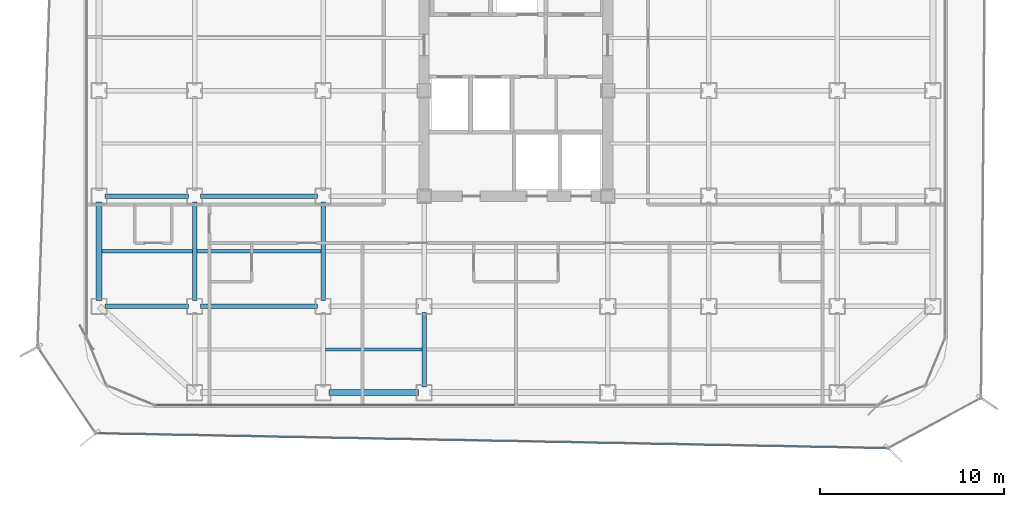
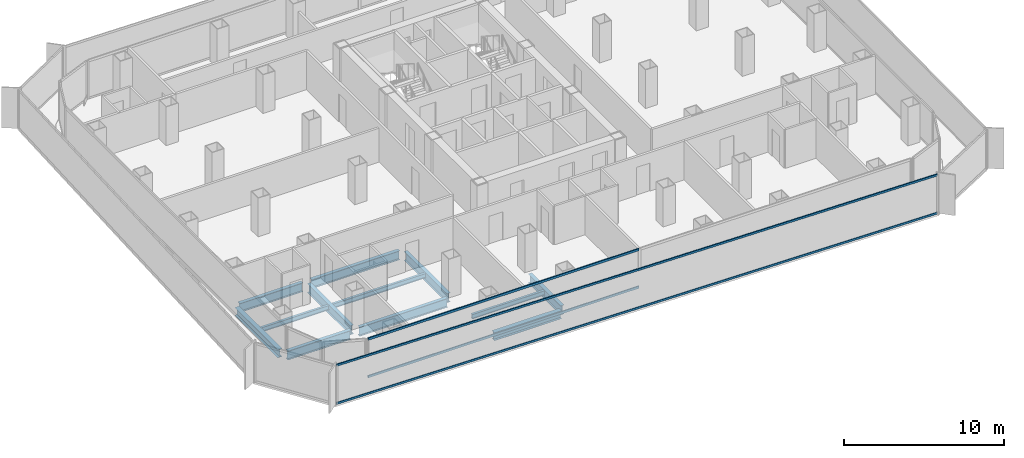
# One storey, part 3 of 21: 12 beams, 4 members, 2 elements without a shape of their own.
"""IFC4 building model written with IfcOpenShell, lengths in metres."""

from ifc_helpers import new_model, si_unit, direction, frame, origin, origin_2d, place, context, subcontext, project, spatial, hollow_rectangle, i_section, extrude, source, transform, mapped, material, layer, layer_set, material_profile, profile_set, type_object, element, aggregate, save


model = new_model("IFC4")

# Units and contexts
model_context = context("Model", 3, precision=1e-05, world=origin(), true_north=direction((0.0, 1.0)))
body_context = subcontext(model_context, "Body", "Model", "MODEL_VIEW")
ifc_project = project(units=[si_unit("LENGTHUNIT", "METRE"), si_unit("AREAUNIT", "SQUARE_METRE"), si_unit("VOLUMEUNIT", "CUBIC_METRE"), si_unit("PLANEANGLEUNIT", "RADIAN"), si_unit("MASSUNIT", "GRAM", prefix="KILO")], contexts=[model_context])

# Site, building, storey
site_placement = place(None, origin())
site = spatial("IfcSite", under=ifc_project, at=site_placement, CompositionType="ELEMENT")
building_placement = place(site_placement, origin())
building = spatial("IfcBuilding", under=site, at=building_placement, Name="Kolveth Station Tower", CompositionType="ELEMENT")
storey_placement = place(building_placement, frame((0.0, 0.0, 95.89990234375)))
storey = spatial("IfcBuildingStorey", under=building, at=storey_placement, Name="L25", CompositionType="ELEMENT", Elevation=95.89990234375)

# Beams
ifc_material_1 = material(Name="Steel S355", Category="steel")
ifc_material_profile_1 = material_profile(ifc_material_1, i_section(OverallWidth=0.323974609375, OverallDepth=0.611083984375, WebThickness=0.0126953125, FlangeThickness=0.01904296875, at=origin_2d()), Name="W610x155")
ifc_profile_set_1 = profile_set([ifc_material_profile_1], Name="Steel S355")
beam_type_1 = type_object("IfcBeamType", Name="Beam_SP2", PredefinedType="SPANDREL", material=ifc_profile_set_1)
shared_shape_1 = source(origin(), body_context, "Body", "SweptSolid", [
    extrude(i_section(OverallWidth=0.323974609375, OverallDepth=0.611083984375, WebThickness=0.0126953125, FlangeThickness=0.01904296875, at=origin_2d()), origin(), (0.0, 0.0, 1.0), 4.85986328125),
])
beam_1_placement = place(storey_placement, frame((13.320068359375, 0.800048828125, -0.555419921875), z_axis=(1.0, 0.0, 0.0), x_axis=(0.0, 1.0, 0.0)))
element("IfcBeam", 1, at=beam_1_placement, inside=storey, type_object=beam_type_1, Name="L25 Perimeter Spandrel BM-L25-PS-2", PredefinedType="SPANDREL", context=body_context, shape_type="MappedRepresentation", body=[
    mapped(shared_shape_1, transform((0.0, 0.0, 0.0), x_axis=(1.0, 0.0, 0.0), y_axis=(0.0, 1.0, 0.0), z_axis=(0.0, 0.0, 1.0), scale=1.0)),
])
shared_shape_2 = source(origin(), body_context, "Body", "SweptSolid", [
    extrude(i_section(OverallWidth=0.323974609375, OverallDepth=0.611083984375, WebThickness=0.0126953125, FlangeThickness=0.01904296875, at=origin_2d()), origin(), (0.0, 0.0, 1.0), 5.35986328125),
])
beam_2_placement = place(storey_placement, frame((0.800048828125, 5.820068359375, -0.555419921875), z_axis=(0.0, 1.0, 0.0), x_axis=(-1.0, 0.0, 0.0)))
element("IfcBeam", 2, at=beam_2_placement, inside=storey, type_object=beam_type_1, Name="L25 Perimeter Spandrel BM-L25-PW-1", PredefinedType="SPANDREL", context=body_context, shape_type="MappedRepresentation", body=[
    mapped(shared_shape_2, transform((0.0, 0.0, 0.0), x_axis=(1.0, 0.0, 0.0), y_axis=(0.0, 1.0, 0.0), z_axis=(0.0, 0.0, 1.0), scale=1.0)),
])
ifc_material_profile_2 = material_profile(ifc_material_1, i_section(OverallWidth=0.25390625, OverallDepth=0.68798828125, WebThickness=0.01318359375, FlangeThickness=0.02099609375, at=origin_2d()), Name="W690x152")
ifc_profile_set_2 = profile_set([ifc_material_profile_2], Name="Steel S355")
beam_type_2 = type_object("IfcBeamType", Name="Beam_B4", PredefinedType="BEAM", material=ifc_profile_set_2)
shared_shape_3 = source(origin(), body_context, "Body", "SweptSolid", [
    extrude(i_section(OverallWidth=0.25390625, OverallDepth=0.68798828125, WebThickness=0.01318359375, FlangeThickness=0.02099609375, at=origin_2d()), origin(), (0.0, 0.0, 1.0), 4.559814453125),
])
for number, where, z_axis, x_axis, name in (
    (3, (1.1201171875, 5.5, -0.593994140625), (1.0, 0.0, 0.0), (0.0, 1.0, 0.0), "L25 Primary Girder BM-L25-GY55-1"),
    (4, (1.1201171875, 11.5, -0.593994140625), (1.0, 0.0, 0.0), (0.0, 1.0, 0.0), "L25 Primary Girder BM-L25-GY115-1"),
):
    element("IfcBeam", number, at=place(storey_placement, frame(where, z_axis=z_axis, x_axis=x_axis)), inside=storey, type_object=beam_type_2, Name=name, PredefinedType="BEAM", context=body_context, shape_type="MappedRepresentation", body=[
        mapped(shared_shape_3, transform((0.0, 0.0, 0.0), x_axis=(1.0, 0.0, 0.0), y_axis=(0.0, 1.0, 0.0), z_axis=(0.0, 0.0, 1.0), scale=1.0)),
    ])
shared_shape_4 = source(origin(), body_context, "Body", "SweptSolid", [
    extrude(i_section(OverallWidth=0.25390625, OverallDepth=0.68798828125, WebThickness=0.01318359375, FlangeThickness=0.02099609375, at=origin_2d()), origin(), (0.0, 0.0, 1.0), 6.35986328125),
])
for number, where, z_axis, x_axis, name in (
    (5, (6.320068359375, 5.5, -0.593994140625), (1.0, 0.0, 0.0), (0.0, 1.0, 0.0), "L25 Primary Girder BM-L25-GY55-2"),
    (6, (6.320068359375, 11.5, -0.593994140625), (1.0, 0.0, 0.0), (0.0, 1.0, 0.0), "L25 Primary Girder BM-L25-GY115-2"),
):
    element("IfcBeam", number, at=place(storey_placement, frame(where, z_axis=z_axis, x_axis=x_axis)), inside=storey, type_object=beam_type_2, Name=name, PredefinedType="BEAM", context=body_context, shape_type="MappedRepresentation", body=[
        mapped(shared_shape_4, transform((0.0, 0.0, 0.0), x_axis=(1.0, 0.0, 0.0), y_axis=(0.0, 1.0, 0.0), z_axis=(0.0, 0.0, 1.0), scale=1.0)),
    ])
shared_shape_5 = source(origin(), body_context, "Body", "SweptSolid", [
    extrude(i_section(OverallWidth=0.25390625, OverallDepth=0.68798828125, WebThickness=0.01318359375, FlangeThickness=0.02099609375, at=origin_2d()), origin(), (0.0, 0.0, 1.0), 4.059814453125),
])
beam_3_placement = place(storey_placement, frame((18.5, 1.1201171875, -0.593994140625), z_axis=(0.0, 1.0, 0.0), x_axis=(-1.0, 0.0, 0.0)))
element("IfcBeam", 7, at=beam_3_placement, inside=storey, type_object=beam_type_2, Name="L25 Primary Girder BM-L25-GX185-1", PredefinedType="BEAM", context=body_context, shape_type="MappedRepresentation", body=[
    mapped(shared_shape_5, transform((0.0, 0.0, 0.0), x_axis=(1.0, 0.0, 0.0), y_axis=(0.0, 1.0, 0.0), z_axis=(0.0, 0.0, 1.0), scale=1.0)),
])
shared_shape_6 = source(origin(), body_context, "Body", "SweptSolid", [
    extrude(i_section(OverallWidth=0.25390625, OverallDepth=0.68798828125, WebThickness=0.01318359375, FlangeThickness=0.02099609375, at=origin_2d()), origin(), (0.0, 0.0, 1.0), 5.35986328125),
])
for number, where, z_axis, x_axis, name in (
    (8, (6.0, 5.820068359375, -0.593994140625), (0.0, 1.0, 0.0), (-1.0, 0.0, 0.0), "L25 Primary Girder BM-L25-GX60-2"),
    (9, (13.0, 5.820068359375, -0.593994140625), (0.0, 1.0, 0.0), (-1.0, 0.0, 0.0), "L25 Primary Girder BM-L25-GX130-2"),
):
    element("IfcBeam", number, at=place(storey_placement, frame(where, z_axis=z_axis, x_axis=x_axis)), inside=storey, type_object=beam_type_2, Name=name, PredefinedType="BEAM", context=body_context, shape_type="MappedRepresentation", body=[
        mapped(shared_shape_6, transform((0.0, 0.0, 0.0), x_axis=(1.0, 0.0, 0.0), y_axis=(0.0, 1.0, 0.0), z_axis=(0.0, 0.0, 1.0), scale=1.0)),
    ])
ifc_material_profile_3 = material_profile(ifc_material_1, i_section(OverallWidth=0.1708984375, OverallDepth=0.35205078125, WebThickness=0.0068359375, FlangeThickness=0.009765625, at=origin_2d()), Name="W360x44")
ifc_profile_set_3 = profile_set([ifc_material_profile_3], Name="Steel S355")
beam_type_3 = type_object("IfcBeamType", Name="Beam_J2", PredefinedType="JOIST", material=ifc_profile_set_3)
shared_shape_7 = source(origin(), body_context, "Body", "SweptSolid", [
    extrude(i_section(OverallWidth=0.1708984375, OverallDepth=0.35205078125, WebThickness=0.0068359375, FlangeThickness=0.009765625, at=origin_2d()), origin(), (0.0, 0.0, 1.0), 4.9150390625),
])
beam_4_placement = place(storey_placement, frame((0.9599609375, 8.5, -0.42578125), z_axis=(1.0, 0.0, 0.0), x_axis=(0.0, 1.0, 0.0)))
element("IfcBeam", 10, at=beam_4_placement, inside=storey, type_object=beam_type_3, Name="L25 Secondary Joist JST-L25-1-2", PredefinedType="JOIST", context=body_context, shape_type="MappedRepresentation", body=[
    mapped(shared_shape_7, transform((0.0, 0.0, 0.0), x_axis=(1.0, 0.0, 0.0), y_axis=(0.0, 1.0, 0.0), z_axis=(0.0, 0.0, 1.0), scale=1.0)),
])
shared_shape_8 = source(origin(), body_context, "Body", "SweptSolid", [
    extrude(i_section(OverallWidth=0.1708984375, OverallDepth=0.35205078125, WebThickness=0.0068359375, FlangeThickness=0.009765625, at=origin_2d()), origin(), (0.0, 0.0, 1.0), 6.75),
])
beam_5_placement = place(storey_placement, frame((6.125, 8.5, -0.42578125), z_axis=(1.0, 0.0, 0.0), x_axis=(0.0, 1.0, 0.0)))
element("IfcBeam", 11, at=beam_5_placement, inside=storey, type_object=beam_type_3, Name="L25 Secondary Joist JST-L25-2-2", PredefinedType="JOIST", context=body_context, shape_type="MappedRepresentation", body=[
    mapped(shared_shape_8, transform((0.0, 0.0, 0.0), x_axis=(1.0, 0.0, 0.0), y_axis=(0.0, 1.0, 0.0), z_axis=(0.0, 0.0, 1.0), scale=1.0)),
])
shared_shape_9 = source(origin(), body_context, "Body", "SweptSolid", [
    extrude(i_section(OverallWidth=0.1708984375, OverallDepth=0.35205078125, WebThickness=0.0068359375, FlangeThickness=0.009765625, at=origin_2d()), origin(), (0.0, 0.0, 1.0), 5.25),
])
beam_6_placement = place(storey_placement, frame((13.125, 3.14990234375, -0.42578125), z_axis=(1.0, 0.0, 0.0), x_axis=(0.0, 1.0, 0.0)))
element("IfcBeam", 12, at=beam_6_placement, inside=storey, type_object=beam_type_3, Name="L25 Secondary Joist JST-L25-3-1", PredefinedType="JOIST", context=body_context, shape_type="MappedRepresentation", body=[
    mapped(shared_shape_9, transform((0.0, 0.0, 0.0), x_axis=(1.0, 0.0, 0.0), y_axis=(0.0, 1.0, 0.0), z_axis=(0.0, 0.0, 1.0), scale=1.0)),
])

# Curtain wall, members
ifc_material_2 = material(Name="Aluminium 6063-T6 and low-E dark glass", Category="aluminium")
ifc_layer_1 = layer(ifc_material_2, 0.18994140625)
ifc_layer_set_1 = layer_set([ifc_layer_1], Name="Aluminium 6063-T6 and low-E dark glass")
curtain_wall_type_1 = type_object("IfcCurtainWallType", Name="CurtainWall_CW-Z2", PredefinedType="NOTDEFINED", material=ifc_layer_set_1)
curtain_wall_1_placement = place(storey_placement, origin())
curtain_wall_1 = element("IfcCurtainWall", 13, at=curtain_wall_1_placement, inside=storey, type_object=curtain_wall_type_1, Name="L25 Inner Thermal Curtain Wall 12", PredefinedType="NOTDEFINED")
ifc_material_3 = material(Name="Black anodized aluminium 6063-T6", Category="aluminium")
ifc_material_profile_4 = material_profile(ifc_material_3, hollow_rectangle(XDim=0.080078125, YDim=0.169921875, WallThickness=0.0048828125, at=origin_2d()), Name="ALU-80x170x5")
ifc_profile_set_4 = profile_set([ifc_material_profile_4], Name="Black anodized aluminium 6063-T6")
member_type_1 = type_object("IfcMemberType", Name="Transom_TR2", PredefinedType="USERDEFINED", material=ifc_profile_set_4)
shared_shape_10 = source(origin(), body_context, "Body", "SweptSolid", [
    extrude(hollow_rectangle(XDim=0.080078125, YDim=0.169921875, WallThickness=0.0048828125, at=origin_2d()), origin(), (0.0, 0.0, 1.0), 19.580078125),
])
member_1_placement = place(storey_placement, frame((3.8798828125, 0.1201171875, 0.0400390625), z_axis=(1.0, 0.0, 0.0), x_axis=(0.0, 1.0, 0.0)))
member_1 = element("IfcMember", 14, at=member_1_placement, type_object=member_type_1, Name="CW-Z2 transom 1.1", ObjectType="TRANSOM", PredefinedType="USERDEFINED", context=body_context, shape_type="MappedRepresentation", body=[
    mapped(shared_shape_10, transform((0.0, 0.0, 0.0), x_axis=(1.0, 0.0, 0.0), y_axis=(0.0, 1.0, 0.0), z_axis=(0.0, 0.0, 1.0), scale=1.0)),
])
member_2_placement = place(storey_placement, frame((3.8798828125, 0.1201171875, 2.91015625), z_axis=(1.0, 0.0, 0.0), x_axis=(0.0, 1.0, 0.0)))
member_2 = element("IfcMember", 15, at=member_2_placement, type_object=member_type_1, Name="CW-Z2 transom 1.2", ObjectType="TRANSOM", PredefinedType="USERDEFINED", context=body_context, shape_type="MappedRepresentation", body=[
    mapped(shared_shape_10, transform((0.0, 0.0, 0.0), x_axis=(1.0, 0.0, 0.0), y_axis=(0.0, 1.0, 0.0), z_axis=(0.0, 0.0, 1.0), scale=1.0)),
])
aggregate(curtain_wall_1, [member_1, member_2])

ifc_material_4 = material(Name="Black anodized aluminium 6063-T6 and dark solar glass", Category="aluminium")
ifc_layer_2 = layer(ifc_material_4, 0.159912109375)
ifc_layer_set_2 = layer_set([ifc_layer_2], Name="Black anodized aluminium 6063-T6 and dark solar glass")
curtain_wall_type_2 = type_object("IfcCurtainWallType", Name="OUTER SKIN CW-OS", PredefinedType="NOTDEFINED", material=ifc_layer_set_2)
curtain_wall_2_placement = place(storey_placement, origin())
curtain_wall_2 = element("IfcCurtainWall", 16, at=curtain_wall_2_placement, inside=storey, type_object=curtain_wall_type_2, Name="L25 Outer Ventilated Skin Curtain Wall 8", PredefinedType="NOTDEFINED")
ifc_material_profile_5 = material_profile(ifc_material_3, hollow_rectangle(XDim=0.080078125, YDim=0.14990234375, WallThickness=0.0048828125, at=origin_2d()), Name="ALU-80x150x5")
ifc_profile_set_5 = profile_set([ifc_material_profile_5], Name="Black anodized aluminium 6063-T6")
member_type_2 = type_object("IfcMemberType", Name="Transom_TR-OS", PredefinedType="USERDEFINED", material=ifc_profile_set_5)
shared_shape_11 = source(origin(), body_context, "Body", "SweptSolid", [
    extrude(hollow_rectangle(XDim=0.080078125, YDim=0.14990234375, WallThickness=0.0048828125, at=origin_2d()), origin(), (0.0, 0.0, 1.0), 42.9892578125),
])
member_3_placement = place(storey_placement, frame((0.700927734375, -1.414306640625, 0.0400390625), z_axis=(0.999823518508, -0.018786480203, 0.0), x_axis=(0.018786480203, 0.999823518508, 0.0)))
member_3 = element("IfcMember", 17, at=member_3_placement, type_object=member_type_2, Name="CW-OS transom 1.1", ObjectType="TRANSOM", PredefinedType="USERDEFINED", context=body_context, shape_type="MappedRepresentation", body=[
    mapped(shared_shape_11, transform((0.0, 0.0, 0.0), x_axis=(1.0, 0.0, 0.0), y_axis=(0.0, 1.0, 0.0), z_axis=(0.0, 0.0, 1.0), scale=1.0)),
])
member_4_placement = place(storey_placement, frame((0.700927734375, -1.414306640625, 2.9501953125), z_axis=(0.999823518508, -0.018786480203, 0.0), x_axis=(0.018786480203, 0.999823518508, 0.0)))
member_4 = element("IfcMember", 18, at=member_4_placement, type_object=member_type_2, Name="CW-OS transom 1.2", ObjectType="TRANSOM", PredefinedType="USERDEFINED", context=body_context, shape_type="MappedRepresentation", body=[
    mapped(shared_shape_11, transform((0.0, 0.0, 0.0), x_axis=(1.0, 0.0, 0.0), y_axis=(0.0, 1.0, 0.0), z_axis=(0.0, 0.0, 1.0), scale=1.0)),
])
aggregate(curtain_wall_2, [member_3, member_4])

save(model, "model.ifc")
